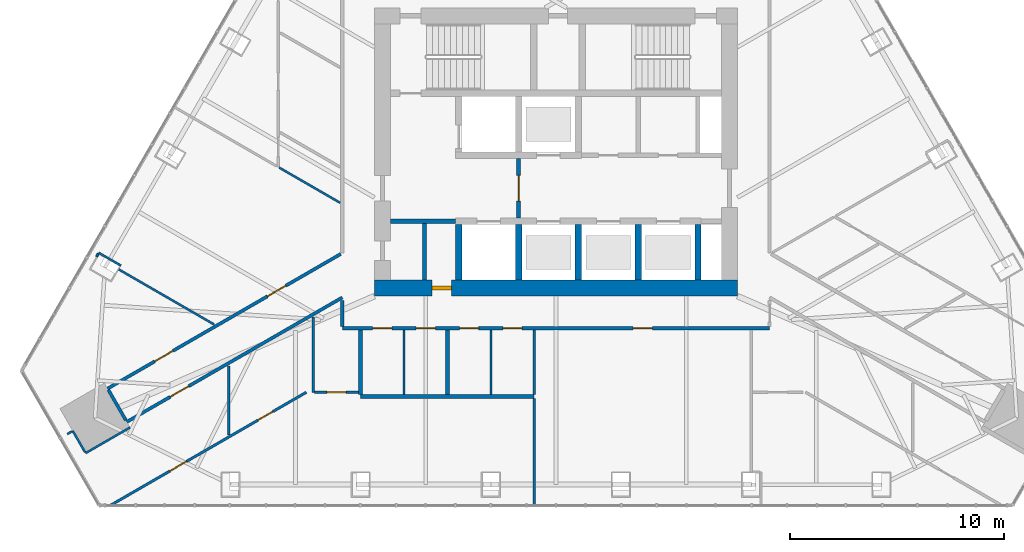
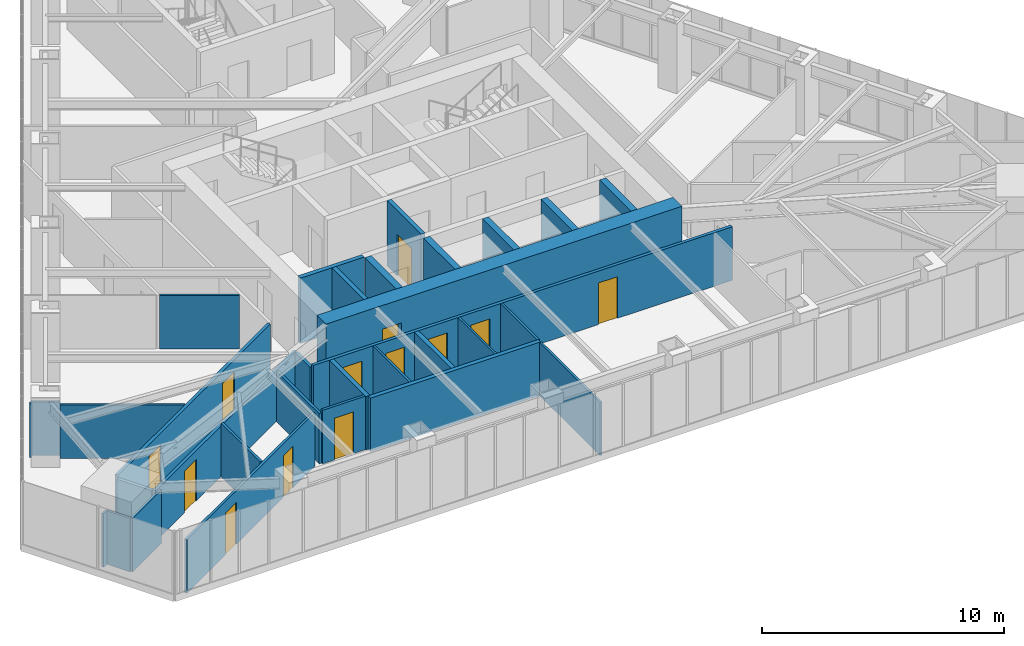
# One storey, part 15 of 20: 32 walls, 13 doors, 13 openings.
"""IFC4 building model written with IfcOpenShell, lengths in metres."""

from ifc_helpers import new_model, si_unit, direction, frame, frame_2d, origin, place, context, subcontext, project, spatial, rectangle, extrude, material, layer, layer_set, type_object, element, fill, save


model = new_model("IFC4")

# Units and contexts
model_context = context("Model", 3, precision=1e-05, world=origin(), true_north=direction((0.0, 1.0)))
body_context = subcontext(model_context, "Body", "Model", "MODEL_VIEW")
ifc_project = project(units=[si_unit("LENGTHUNIT", "METRE"), si_unit("AREAUNIT", "SQUARE_METRE"), si_unit("VOLUMEUNIT", "CUBIC_METRE"), si_unit("PLANEANGLEUNIT", "RADIAN"), si_unit("MASSUNIT", "GRAM", prefix="KILO")], contexts=[model_context])

# Site, building, storey
site_placement = place(None, origin())
site = spatial("IfcSite", under=ifc_project, at=site_placement, CompositionType="ELEMENT")
building_placement = place(site_placement, origin())
building = spatial("IfcBuilding", under=site, at=building_placement, Name="Firuza Gate Tower and Library", CompositionType="ELEMENT")
storey_placement = place(building_placement, frame((0.0, 0.0, 305.60009765625)))
storey = spatial("IfcBuildingStorey", under=building, at=storey_placement, Name="L74", CompositionType="ELEMENT", Elevation=305.60009765625)

# Walls
ifc_material_1 = material(Name="Plasterboard on steel studs", Category="steel")
ifc_layer_1 = layer(ifc_material_1, 0.199951171875)
ifc_layer_set_1 = layer_set([ifc_layer_1], Name="Core partition 200 EI 120")
wall_type_1 = type_object("IfcWallType", Name="Core partition 200 EI 120", PredefinedType="PARTITIONING", material=ifc_layer_set_1)
wall_1_placement = place(storey_placement, frame((67.25, 71.75, 0.0), z_axis=(0.0, 0.0, 1.0), x_axis=(1.0, 0.0, 0.0)))
element("IfcWall", 1, at=wall_1_placement, inside=storey, type_object=wall_type_1, Name="Core partition L74 1", PredefinedType="PARTITIONING", context=body_context, shape_type="SweptSolid", body=[
    extrude(rectangle(XDim=3.050048828125, YDim=0.199951171875, at=frame_2d((1.52490234375, 0.0))), origin(), (0.0, 0.0, 1.0), 3.2998046875),
])
wall_2_placement = place(storey_placement, frame((68.85009765625, 69.0, 0.0), z_axis=(0.0, 0.0, 1.0), x_axis=(0.0, 1.0, 0.0)))
element("IfcWall", 2, at=wall_2_placement, inside=storey, type_object=wall_type_1, Name="Core partition L74 4", PredefinedType="PARTITIONING", context=body_context, shape_type="SweptSolid", body=[
    extrude(rectangle(XDim=2.64990234375, YDim=0.199951171875, at=frame_2d((1.324951171875, 0.0))), origin(), (0.0, 0.0, 1.0), 3.2998046875),
])

# Wall, opening, door
ifc_material_2 = material(Name="Plasterboard on steel studs", Category="steel")
ifc_layer_2 = layer(ifc_material_2, 0.199951171875)
ifc_layer_set_2 = layer_set([ifc_layer_2], Name="Core partition 200 EI 60")
wall_type_2 = type_object("IfcWallType", Name="Core partition 200 EI 60", PredefinedType="PARTITIONING", material=ifc_layer_set_2)
wall_3_placement = place(storey_placement, frame((73.25, 71.89990234375, 0.0), z_axis=(0.0, 0.0, 1.0), x_axis=(0.0, 1.0, 0.0)))
wall_3 = element("IfcWall", 3, at=wall_3_placement, inside=storey, type_object=wall_type_2, Name="Core partition L74 5", PredefinedType="PARTITIONING", context=body_context, shape_type="SweptSolid", body=[
    extrude(rectangle(XDim=2.800048828125, YDim=0.199951171875, at=frame_2d((1.39990234375, 0.0))), origin(), (0.0, 0.0, 1.0), 3.2998046875),
])
opening_1_placement = place(wall_3_placement, frame((0.800048828125, 0.0, 0.0)))
opening_1 = element("IfcOpeningElement", 4, at=opening_1_placement, cuts=wall_3, Name="Opening L74-K14", PredefinedType="OPENING", context=body_context, shape_type="SweptSolid", body=[
    extrude(rectangle(XDim=1.199951171875, YDim=2.10009765625, at=frame_2d((0.60009765625, 1.050048828125))), frame((0.0, 0.10986328125, 0.0), z_axis=(0.0, -1.0, 0.0), x_axis=(1.0, 0.0, 0.0)), (0.0, 0.0, 1.0), 0.219970703125),
])
ifc_material_3 = material(Name="Steel", Category="steel")
door_type_1 = type_object("IfcDoorType", Name="Fire door 1200x2100 FD90S", OperationType="NOTDEFINED", PredefinedType="DOOR", material=ifc_material_3)
door_1_placement = place(opening_1_placement, origin())
door_1 = element("IfcDoor", 5, at=door_1_placement, inside=storey, type_object=door_type_1, Name="Door L74-K14", OperationType="SINGLE_SWING_LEFT", OverallHeight=2.10009765625, OverallWidth=1.199951171875, PredefinedType="DOOR", context=body_context, shape_type="SweptSolid", body=[
    extrude(rectangle(XDim=1.199951171875, YDim=2.10009765625, at=frame_2d((0.60009765625, 1.050048828125))), frame((0.0, 0.02490234375, 0.0), z_axis=(0.0, -1.0, 0.0), x_axis=(1.0, 0.0, 0.0)), (0.0, 0.0, 1.0), 0.050048828125),
])
fill(opening_1, door_1)

# Walls
ifc_material_4 = material(Name="Concrete C60/75", Category="concrete")
ifc_layer_3 = layer(ifc_material_4, 0.300048828125)
ifc_layer_set_3 = layer_set([ifc_layer_3], Name="Core wall 300 C60/75")
wall_type_3 = type_object("IfcWallType", Name="Core wall 300 C60/75", PredefinedType="SHEAR", material=ifc_layer_set_3)
for number, where, z_axis, x_axis, name in (
    (6, (70.449951171875, 69.0, 0.0), (0.0, 0.0, 1.0), (0.0, 1.0, 0.0), "Core wall L74 7"),
    (7, (73.25, 69.0, 0.0), (0.0, 0.0, 1.0), (0.0, 1.0, 0.0), "Core wall L74 9"),
    (8, (76.050048828125, 69.0, 0.0), (0.0, 0.0, 1.0), (0.0, 1.0, 0.0), "Core wall L74 11"),
    (9, (78.85009765625, 69.0, 0.0), (0.0, 0.0, 1.0), (0.0, 1.0, 0.0), "Core wall L74 13"),
    (10, (81.64990234375, 69.0, 0.0), (0.0, 0.0, 1.0), (0.0, 1.0, 0.0), "Core wall L74 14"),
):
    element("IfcWall", number, at=place(storey_placement, frame(where, z_axis=z_axis, x_axis=x_axis)), inside=storey, type_object=wall_type_3, Name=name, PredefinedType="SHEAR", context=body_context, shape_type="SweptSolid", body=[
        extrude(rectangle(XDim=2.60009765625, YDim=0.300048828125, at=frame_2d((1.300048828125, 0.0))), origin(), (0.0, 0.0, 1.0), 3.2998046875),
    ])

# Wall, opening, door
ifc_material_5 = material(Name="Concrete C60/75", Category="concrete")
ifc_layer_4 = layer(ifc_material_5, 0.75)
ifc_layer_set_4 = layer_set([ifc_layer_4], Name="Core wall 750 C60/75")
wall_type_4 = type_object("IfcWallType", Name="Core wall 750 C60/75", PredefinedType="SHEAR", material=ifc_layer_set_4)
wall_4_placement = place(storey_placement, frame((66.5, 68.625, 0.0), z_axis=(0.0, 0.0, 1.0), x_axis=(1.0, 0.0, 0.0)))
wall_4 = element("IfcWall", 11, at=wall_4_placement, inside=storey, type_object=wall_type_4, Name="Core wall L74 1", PredefinedType="SHEAR", context=body_context, shape_type="SweptSolid", body=[
    extrude(rectangle(XDim=17.0, YDim=0.75, at=frame_2d((8.5, 0.0))), origin(), (0.0, 0.0, 1.0), 3.2998046875),
])
opening_2_placement = place(wall_4_placement, frame((2.699951171875, 0.0, 0.0)))
opening_2 = element("IfcOpeningElement", 12, at=opening_2_placement, cuts=wall_4, Name="Opening L74-K18", PredefinedType="OPENING", context=body_context, shape_type="SweptSolid", body=[
    extrude(rectangle(XDim=0.89990234375, YDim=2.10009765625, at=frame_2d((0.449951171875, 1.050048828125))), frame((0.0, 0.385009765625, 0.0), z_axis=(0.0, -1.0, 0.0), x_axis=(1.0, 0.0, 0.0)), (0.0, 0.0, 1.0), 0.77001953125),
])
ifc_material_6 = material(Name="Steel", Category="steel")
door_type_2 = type_object("IfcDoorType", Name="Fire door 900x2100 FD30S", OperationType="NOTDEFINED", PredefinedType="DOOR", material=ifc_material_6)
door_2_placement = place(opening_2_placement, origin())
door_2 = element("IfcDoor", 13, at=door_2_placement, inside=storey, type_object=door_type_2, Name="Door L74-K18", OperationType="SINGLE_SWING_LEFT", OverallHeight=2.10009765625, OverallWidth=0.89990234375, PredefinedType="DOOR", context=body_context, shape_type="SweptSolid", body=[
    extrude(rectangle(XDim=0.89990234375, YDim=2.10009765625, at=frame_2d((0.449951171875, 1.050048828125))), frame((0.0, 0.094970703125, 0.0), z_axis=(0.0, -1.0, 0.0), x_axis=(1.0, 0.0, 0.0)), (0.0, 0.0, 1.0), 0.18994140625),
])
fill(opening_2, door_2)

# Wall, openings, doors
ifc_material_7 = material(Name="Gypsum board partition")
ifc_layer_5 = layer(ifc_material_7, 0.14990234375)
ifc_layer_set_5 = layer_set([ifc_layer_5], Name="Corridor wall 150 double board on steel studs")
wall_type_5 = type_object("IfcWallType", Name="Corridor wall 150 double board on steel studs", PredefinedType="PARTITIONING", material=ifc_layer_set_5)
wall_5_placement = place(storey_placement, frame((85.0, 66.75, 0.0), z_axis=(0.0, 0.0, 1.0), x_axis=(-1.0, 0.0, 0.0)))
wall_5 = element("IfcWall", 14, at=wall_5_placement, inside=storey, type_object=wall_type_5, Name="f:L74:w004", PredefinedType="PARTITIONING", context=body_context, shape_type="SweptSolid", body=[
    extrude(rectangle(XDim=20.0, YDim=0.14990234375, at=frame_2d((10.0, 0.0))), origin(), (0.0, 0.0, 1.0), 2.699951171875),
])
opening_3_placement = place(wall_5_placement, frame((5.486083984375, 0.0, 0.0)))
opening_3 = element("IfcOpeningElement", 15, at=opening_3_placement, cuts=wall_5, Name="Opening L74-03", PredefinedType="OPENING", context=body_context, shape_type="SweptSolid", body=[
    extrude(rectangle(XDim=0.89990234375, YDim=2.10009765625, at=frame_2d((0.449951171875, 1.050048828125))), frame((0.0, 0.0849609375, 0.0), z_axis=(0.0, -1.0, 0.0), x_axis=(1.0, 0.0, 0.0)), (0.0, 0.0, 1.0), 0.169921875),
])
opening_4_placement = place(wall_5_placement, frame((11.58203125, 0.0, 0.0)))
opening_4 = element("IfcOpeningElement", 16, at=opening_4_placement, cuts=wall_5, Name="Opening L74-04", PredefinedType="OPENING", context=body_context, shape_type="SweptSolid", body=[
    extrude(rectangle(XDim=0.89990234375, YDim=2.10009765625, at=frame_2d((0.449951171875, 1.050048828125))), frame((0.0, 0.0849609375, 0.0), z_axis=(0.0, -1.0, 0.0), x_axis=(1.0, 0.0, 0.0)), (0.0, 0.0, 1.0), 0.169921875),
])
opening_5_placement = place(wall_5_placement, frame((13.614013671875, 0.0, 0.0)))
opening_5 = element("IfcOpeningElement", 17, at=opening_5_placement, cuts=wall_5, Name="Opening L74-05", PredefinedType="OPENING", context=body_context, shape_type="SweptSolid", body=[
    extrude(rectangle(XDim=0.89990234375, YDim=2.10009765625, at=frame_2d((0.449951171875, 1.050048828125))), frame((0.0, 0.0849609375, 0.0), z_axis=(0.0, -1.0, 0.0), x_axis=(1.0, 0.0, 0.0)), (0.0, 0.0, 1.0), 0.169921875),
])
opening_6_placement = place(wall_5_placement, frame((15.64599609375, 0.0, 0.0)))
opening_6 = element("IfcOpeningElement", 18, at=opening_6_placement, cuts=wall_5, Name="Opening L74-06", PredefinedType="OPENING", context=body_context, shape_type="SweptSolid", body=[
    extrude(rectangle(XDim=0.89990234375, YDim=2.10009765625, at=frame_2d((0.449951171875, 1.050048828125))), frame((0.0, 0.0849609375, 0.0), z_axis=(0.0, -1.0, 0.0), x_axis=(1.0, 0.0, 0.0)), (0.0, 0.0, 1.0), 0.169921875),
])
opening_7_placement = place(wall_5_placement, frame((17.677978515625, 0.0, 0.0)))
opening_7 = element("IfcOpeningElement", 19, at=opening_7_placement, cuts=wall_5, Name="Opening L74-07", PredefinedType="OPENING", context=body_context, shape_type="SweptSolid", body=[
    extrude(rectangle(XDim=0.89990234375, YDim=2.10009765625, at=frame_2d((0.449951171875, 1.050048828125))), frame((0.0, 0.0849609375, 0.0), z_axis=(0.0, -1.0, 0.0), x_axis=(1.0, 0.0, 0.0)), (0.0, 0.0, 1.0), 0.169921875),
])
ifc_material_8 = material(Name="Steel door and timber leaf", Category="steel")
door_type_3 = type_object("IfcDoorType", Name="Fire door 900 x 2100 steel frame, timber leaf", OperationType="NOTDEFINED", PredefinedType="DOOR", material=ifc_material_8)
door_3_placement = place(opening_3_placement, origin())
door_3 = element("IfcDoor", 20, at=door_3_placement, inside=storey, type_object=door_type_3, Name="f:L74:d003", OperationType="SINGLE_SWING_RIGHT", OverallHeight=2.10009765625, OverallWidth=0.89990234375, PredefinedType="DOOR", context=body_context, shape_type="SweptSolid", body=[
    extrude(rectangle(XDim=0.89990234375, YDim=2.10009765625, at=frame_2d((0.449951171875, 1.050048828125))), frame((0.0, 0.02490234375, 0.0), z_axis=(0.0, -1.0, 0.0), x_axis=(1.0, 0.0, 0.0)), (0.0, 0.0, 1.0), 0.050048828125),
])
fill(opening_3, door_3)
door_4_placement = place(opening_4_placement, origin())
door_4 = element("IfcDoor", 21, at=door_4_placement, inside=storey, type_object=door_type_3, Name="f:L74:d004", OperationType="SINGLE_SWING_LEFT", OverallHeight=2.10009765625, OverallWidth=0.89990234375, PredefinedType="DOOR", context=body_context, shape_type="SweptSolid", body=[
    extrude(rectangle(XDim=0.89990234375, YDim=2.10009765625, at=frame_2d((0.449951171875, 1.050048828125))), frame((0.0, 0.02490234375, 0.0), z_axis=(0.0, -1.0, 0.0), x_axis=(1.0, 0.0, 0.0)), (0.0, 0.0, 1.0), 0.050048828125),
])
fill(opening_4, door_4)
door_5_placement = place(opening_5_placement, origin())
door_5 = element("IfcDoor", 22, at=door_5_placement, inside=storey, type_object=door_type_3, Name="f:L74:d005", OperationType="SINGLE_SWING_RIGHT", OverallHeight=2.10009765625, OverallWidth=0.89990234375, PredefinedType="DOOR", context=body_context, shape_type="SweptSolid", body=[
    extrude(rectangle(XDim=0.89990234375, YDim=2.10009765625, at=frame_2d((0.449951171875, 1.050048828125))), frame((0.0, 0.02490234375, 0.0), z_axis=(0.0, -1.0, 0.0), x_axis=(1.0, 0.0, 0.0)), (0.0, 0.0, 1.0), 0.050048828125),
])
fill(opening_5, door_5)
door_6_placement = place(opening_6_placement, origin())
door_6 = element("IfcDoor", 23, at=door_6_placement, inside=storey, type_object=door_type_3, Name="f:L74:d006", OperationType="SINGLE_SWING_LEFT", OverallHeight=2.10009765625, OverallWidth=0.89990234375, PredefinedType="DOOR", context=body_context, shape_type="SweptSolid", body=[
    extrude(rectangle(XDim=0.89990234375, YDim=2.10009765625, at=frame_2d((0.449951171875, 1.050048828125))), frame((0.0, 0.02490234375, 0.0), z_axis=(0.0, -1.0, 0.0), x_axis=(1.0, 0.0, 0.0)), (0.0, 0.0, 1.0), 0.050048828125),
])
fill(opening_6, door_6)
door_7_placement = place(opening_7_placement, origin())
door_7 = element("IfcDoor", 24, at=door_7_placement, inside=storey, type_object=door_type_3, Name="f:L74:d007", OperationType="SINGLE_SWING_RIGHT", OverallHeight=2.10009765625, OverallWidth=0.89990234375, PredefinedType="DOOR", context=body_context, shape_type="SweptSolid", body=[
    extrude(rectangle(XDim=0.89990234375, YDim=2.10009765625, at=frame_2d((0.449951171875, 1.050048828125))), frame((0.0, 0.02490234375, 0.0), z_axis=(0.0, -1.0, 0.0), x_axis=(1.0, 0.0, 0.0)), (0.0, 0.0, 1.0), 0.050048828125),
])
fill(opening_7, door_7)

# Wall, opening, door
wall_6_placement = place(storey_placement, frame((65.0, 68.187255859375, 0.0), z_axis=(0.0, 0.0, 1.0), x_axis=(-0.866026430432, -0.49999822179, 0.0)))
wall_6 = element("IfcWall", 25, at=wall_6_placement, inside=storey, type_object=wall_type_5, Name="f:L74:w020", PredefinedType="PARTITIONING", context=body_context, shape_type="SweptSolid", body=[
    extrude(rectangle(XDim=11.6484375, YDim=0.14990234375, at=frame_2d((5.82421875, 0.0))), origin(), (0.0, 0.0, 1.0), 2.546875),
])
opening_8_placement = place(wall_6_placement, frame((8.29638671875, 0.0, 0.0)))
opening_8 = element("IfcOpeningElement", 26, at=opening_8_placement, cuts=wall_6, Name="Opening L74-14", PredefinedType="OPENING", context=body_context, shape_type="SweptSolid", body=[
    extrude(rectangle(XDim=1.0, YDim=2.10009765625, at=frame_2d((0.5, 1.050048828125))), frame((0.0, 0.0849609375, 0.0), z_axis=(0.0, -1.0, 0.0), x_axis=(1.0, 0.0, 0.0)), (0.0, 0.0, 1.0), 0.169921875),
])
ifc_material_9 = material(Name="Steel door and timber leaf", Category="steel")
door_type_4 = type_object("IfcDoorType", Name="Fire door 1000 x 2100 steel frame, timber leaf", OperationType="NOTDEFINED", PredefinedType="DOOR", material=ifc_material_9)
door_8_placement = place(opening_8_placement, origin())
door_8 = element("IfcDoor", 27, at=door_8_placement, inside=storey, type_object=door_type_4, Name="f:L74:d014", OperationType="SINGLE_SWING_RIGHT", OverallHeight=2.10009765625, OverallWidth=1.0, PredefinedType="DOOR", context=body_context, shape_type="SweptSolid", body=[
    extrude(rectangle(XDim=1.0, YDim=2.10009765625, at=frame_2d((0.5, 1.050048828125))), frame((0.0, 0.02490234375, 0.0), z_axis=(0.0, -1.0, 0.0), x_axis=(1.0, 0.0, 0.0)), (0.0, 0.0, 1.0), 0.050048828125),
])
fill(opening_8, door_8)

# Wall, openings, doors
wall_7_placement = place(storey_placement, frame((54.012451171875, 63.922119140625, 0.0), z_axis=(0.0, 0.0, 1.0), x_axis=(0.866028779199, 0.499994153564, 0.0)))
wall_7 = element("IfcWall", 28, at=wall_7_placement, inside=storey, type_object=wall_type_5, Name="f:L74:w022", PredefinedType="PARTITIONING", context=body_context, shape_type="SweptSolid", body=[
    extrude(rectangle(XDim=12.600830078125, YDim=0.14990234375, at=frame_2d((6.30029296875, 0.0))), origin(), (0.0, 0.0, 1.0), 2.699951171875),
])
opening_9_placement = place(wall_7_placement, frame((2.542236328125, 0.0, 0.0)))
opening_9 = element("IfcOpeningElement", 29, at=opening_9_placement, cuts=wall_7, Name="Opening L74-15", PredefinedType="OPENING", context=body_context, shape_type="SweptSolid", body=[
    extrude(rectangle(XDim=1.0, YDim=2.10009765625, at=frame_2d((0.5, 1.050048828125))), frame((0.0, 0.0849609375, 0.0), z_axis=(0.0, -1.0, 0.0), x_axis=(1.0, 0.0, 0.0)), (0.0, 0.0, 1.0), 0.169921875),
])
opening_10_placement = place(wall_7_placement, frame((8.63916015625, 0.0, 0.0)))
opening_10 = element("IfcOpeningElement", 30, at=opening_10_placement, cuts=wall_7, Name="Opening L74-16", PredefinedType="OPENING", context=body_context, shape_type="SweptSolid", body=[
    extrude(rectangle(XDim=1.0, YDim=2.10009765625, at=frame_2d((0.5, 1.050048828125))), frame((0.0, 0.0849609375, 0.0), z_axis=(0.0, -1.0, 0.0), x_axis=(1.0, 0.0, 0.0)), (0.0, 0.0, 1.0), 0.169921875),
])
door_9_placement = place(opening_9_placement, origin())
door_9 = element("IfcDoor", 31, at=door_9_placement, inside=storey, type_object=door_type_4, Name="f:L74:d015", OperationType="SINGLE_SWING_LEFT", OverallHeight=2.10009765625, OverallWidth=1.0, PredefinedType="DOOR", context=body_context, shape_type="SweptSolid", body=[
    extrude(rectangle(XDim=1.0, YDim=2.10009765625, at=frame_2d((0.5, 1.050048828125))), frame((0.0, 0.02490234375, 0.0), z_axis=(0.0, -1.0, 0.0), x_axis=(1.0, 0.0, 0.0)), (0.0, 0.0, 1.0), 0.050048828125),
])
fill(opening_9, door_9)
door_10_placement = place(opening_10_placement, origin())
door_10 = element("IfcDoor", 32, at=door_10_placement, inside=storey, type_object=door_type_4, Name="f:L74:d016", OperationType="SINGLE_SWING_RIGHT", OverallHeight=2.10009765625, OverallWidth=1.0, PredefinedType="DOOR", context=body_context, shape_type="SweptSolid", body=[
    extrude(rectangle(XDim=1.0, YDim=2.10009765625, at=frame_2d((0.5, 1.050048828125))), frame((0.0, 0.02490234375, 0.0), z_axis=(0.0, -1.0, 0.0), x_axis=(1.0, 0.0, 0.0)), (0.0, 0.0, 1.0), 0.050048828125),
])
fill(opening_10, door_10)

# Walls
wall_8_placement = place(storey_placement, frame((65.0, 66.824951171875, 0.0), z_axis=(0.0, 0.0, 1.0), x_axis=(0.0, 1.0, 0.0)))
element("IfcWall", 33, at=wall_8_placement, inside=storey, type_object=wall_type_5, Name="f:L74:w046", PredefinedType="PARTITIONING", context=body_context, shape_type="SweptSolid", body=[
    extrude(rectangle(XDim=1.225830078125, YDim=0.14990234375, at=frame_2d((0.61279296875, 0.0))), origin(), (0.0, 0.0, 1.0), 2.546875),
])
wall_9_placement = place(storey_placement, frame((54.8720703125, 62.432861328125, 0.0), z_axis=(0.0, 0.0, 1.0), x_axis=(-0.499988108725, 0.866032269107, 0.0)))
element("IfcWall", 34, at=wall_9_placement, inside=storey, type_object=wall_type_5, Name="f:L74:w053", PredefinedType="PARTITIONING", context=body_context, shape_type="SweptSolid", body=[
    extrude(rectangle(XDim=1.64404296875, YDim=0.14990234375, at=frame_2d((0.822021484375, 0.0))), origin(), (0.0, 0.0, 1.0), 2.546875),
])
ifc_material_10 = material(Name="Gypsum board partition")
ifc_layer_6 = layer(ifc_material_10, 0.199951171875)
ifc_layer_set_6 = layer_set([ifc_layer_6], Name="Demising wall 200 acoustic double stud")
wall_type_6 = type_object("IfcWallType", Name="Demising wall 200 acoustic double stud", PredefinedType="PARTITIONING", material=ifc_layer_set_6)
wall_10_placement = place(storey_placement, frame((65.85595703125, 63.550048828125, 0.0), z_axis=(0.0, 0.0, 1.0), x_axis=(1.0, 0.0, 0.0)))
element("IfcWall", 35, at=wall_10_placement, inside=storey, type_object=wall_type_6, Name="f:L74:w001", PredefinedType="PARTITIONING", context=body_context, shape_type="SweptSolid", body=[
    extrude(rectangle(XDim=8.1279296875, YDim=0.199951171875, at=frame_2d((4.06396484375, 0.0))), origin(), (0.0, 0.0, 1.0), 2.699951171875),
])
for number, where, z_axis, x_axis, name in (
    (36, (69.919921875, 63.64990234375, 0.0), (0.0, 0.0, 1.0), (0.0, 1.0, 0.0), "f:L74:w043"),
    (37, (65.85595703125, 63.64990234375, 0.0), (0.0, 0.0, 1.0), (0.0, 1.0, 0.0), "f:L74:w045"),
):
    element("IfcWall", number, at=place(storey_placement, frame(where, z_axis=z_axis, x_axis=x_axis)), inside=storey, type_object=wall_type_6, Name=name, PredefinedType="PARTITIONING", context=body_context, shape_type="SweptSolid", body=[
        extrude(rectangle(XDim=3.025146484375, YDim=0.199951171875, at=frame_2d((1.5126953125, 0.0))), origin(), (0.0, 0.0, 1.0), 2.699951171875),
    ])
ifc_material_11 = material(Name="Gypsum board partition")
ifc_layer_7 = layer(ifc_material_11, 0.10009765625)
ifc_layer_set_7 = layer_set([ifc_layer_7], Name="Partition 100 gypsum board on steel studs")
wall_type_7 = type_object("IfcWallType", Name="Partition 100 gypsum board on steel studs", PredefinedType="PARTITIONING", material=ifc_layer_set_7)
wall_11_placement = place(storey_placement, frame((52.984130859375, 60.903564453125, 0.0), z_axis=(0.0, 0.0, 1.0), x_axis=(0.866011011868, 0.500024926702, 0.0)))
element("IfcWall", 38, at=wall_11_placement, inside=storey, type_object=wall_type_7, Name="f:L74:w019", PredefinedType="PARTITIONING", context=body_context, shape_type="SweptSolid", body=[
    extrude(rectangle(XDim=2.39892578125, YDim=0.10009765625, at=frame_2d((1.199462890625, 0.0))), origin(), (0.0, 0.0, 1.0), 2.699951171875),
])
wall_12_placement = place(storey_placement, frame((52.123779296875, 61.79248046875, 0.0), z_axis=(0.0, 0.0, 1.0), x_axis=(0.866006330792, 0.500033033937, 0.0)))
element("IfcWall", 39, at=wall_12_placement, inside=storey, type_object=wall_type_7, Name="f:L74:w021", PredefinedType="PARTITIONING", context=body_context, shape_type="SweptSolid", body=[
    extrude(rectangle(XDim=0.24951171875, YDim=0.10009765625, at=frame_2d((0.124755859375, 0.0))), origin(), (0.0, 0.0, 1.0), 2.699951171875),
])
wall_13_placement = place(storey_placement, frame((53.4951171875, 70.102294921875, 0.0), z_axis=(0.0, 0.0, 1.0), x_axis=(0.499906209203, 0.866079547155, 0.0)))
element("IfcWall", 40, at=wall_13_placement, inside=storey, type_object=wall_type_7, Name="f:L74:w026", PredefinedType="PARTITIONING", context=body_context, shape_type="SweptSolid", body=[
    extrude(rectangle(XDim=0.1533203125, YDim=0.10009765625, at=frame_2d((0.07666015625, 0.0))), origin(), (0.0, 0.0, 1.0), 2.699951171875),
])
wall_14_placement = place(storey_placement, frame((73.98388671875, 58.46484375, 0.0), z_axis=(0.0, 0.0, 1.0), x_axis=(0.0, 1.0, 0.0)))
element("IfcWall", 41, at=wall_14_placement, inside=storey, type_object=wall_type_7, Name="f:L74:w038", PredefinedType="PARTITIONING", context=body_context, shape_type="SweptSolid", body=[
    extrude(rectangle(XDim=4.985107421875, YDim=0.10009765625, at=frame_2d((2.49267578125, 0.0))), origin(), (0.0, 0.0, 1.0), 2.68798828125),
])
for number, where, z_axis, x_axis, name in (
    (42, (71.951904296875, 63.64990234375, 0.0), (0.0, 0.0, 1.0), (0.0, 1.0, 0.0), "f:L74:w040"),
    (43, (67.887939453125, 63.64990234375, 0.0), (0.0, 0.0, 1.0), (0.0, 1.0, 0.0), "f:L74:w044"),
):
    element("IfcWall", number, at=place(storey_placement, frame(where, z_axis=z_axis, x_axis=x_axis)), inside=storey, type_object=wall_type_7, Name=name, PredefinedType="PARTITIONING", context=body_context, shape_type="SweptSolid", body=[
        extrude(rectangle(XDim=3.025146484375, YDim=0.10009765625, at=frame_2d((1.5126953125, 0.0))), origin(), (0.0, 0.0, 1.0), 2.699951171875),
    ])
wall_15_placement = place(storey_placement, frame((52.95849609375, 60.947021484375, 0.0), z_axis=(0.0, 0.0, 1.0), x_axis=(-0.499955427682, 0.866051136095, 0.0)))
element("IfcWall", 44, at=wall_15_placement, inside=storey, type_object=wall_type_7, Name="f:L74:w054", PredefinedType="PARTITIONING", context=body_context, shape_type="SweptSolid", body=[
    extrude(rectangle(XDim=1.14892578125, YDim=0.10009765625, at=frame_2d((0.574462890625, 0.0))), origin(), (0.0, 0.0, 1.0), 2.699951171875),
])
wall_16_placement = place(storey_placement, frame((64.899169921875, 72.61962890625, 0.0), z_axis=(0.0, 0.0, 1.0), x_axis=(-0.866032610133, 0.499987518031, 0.0)))
element("IfcWall", 45, at=wall_16_placement, inside=storey, type_object=wall_type_7, Name="f:L74:w064", PredefinedType="PARTITIONING", context=body_context, shape_type="SweptSolid", body=[
    extrude(rectangle(XDim=3.29541015625, YDim=0.10009765625, at=frame_2d((1.647705078125, 0.0))), origin(), (0.0, 0.0, 1.0), 2.699951171875),
])
wall_17_placement = place(storey_placement, frame((54.6357421875, 69.679443359375, 0.0), z_axis=(0.0, 0.0, 1.0), x_axis=(-0.865978732077, 0.500080829057, 0.0)))
element("IfcWall", 46, at=wall_17_placement, inside=storey, type_object=wall_type_7, Name="f:L74:w065", PredefinedType="PARTITIONING", context=body_context, shape_type="SweptSolid", body=[
    extrude(rectangle(XDim=1.198974609375, YDim=0.10009765625, at=frame_2d((0.599609375, 0.0))), origin(), (0.0, 0.0, 1.0), 2.699951171875),
])
wall_18_placement = place(storey_placement, frame((59.0048828125, 66.921142578125, 0.0), z_axis=(0.0, 0.0, 1.0), x_axis=(-0.866022552607, 0.500004938352, 0.0)))
element("IfcWall", 47, at=wall_18_placement, inside=storey, type_object=wall_type_7, Name="f:L74:w066", PredefinedType="PARTITIONING", context=body_context, shape_type="SweptSolid", body=[
    extrude(rectangle(XDim=5.162109375, YDim=0.10009765625, at=frame_2d((2.5810546875, 0.0))), origin(), (0.0, 0.0, 1.0), 2.699951171875),
])
wall_19_placement = place(storey_placement, frame((73.98388671875, 63.64990234375, 0.0), z_axis=(0.0, 0.0, 1.0), x_axis=(0.0, 1.0, 0.0)))
element("IfcWall", 48, at=wall_19_placement, inside=storey, type_object=wall_type_7, Name="f:L74:w067", PredefinedType="PARTITIONING", context=body_context, shape_type="SweptSolid", body=[
    extrude(rectangle(XDim=3.025146484375, YDim=0.10009765625, at=frame_2d((1.5126953125, 0.0))), origin(), (0.0, 0.0, 1.0), 2.699951171875),
])

# Wall, opening, door
ifc_material_12 = material(Name="Gypsum board partition")
ifc_layer_8 = layer(ifc_material_12, 0.1201171875)
ifc_layer_set_8 = layer_set([ifc_layer_8], Name="Wet-area partition 120 moisture-resistant board")
wall_type_8 = type_object("IfcWallType", Name="Wet-area partition 120 moisture-resistant board", PredefinedType="PARTITIONING", material=ifc_layer_set_8)
wall_20_placement = place(storey_placement, frame((63.704345703125, 63.75, 0.0), z_axis=(0.0, 0.0, 1.0), x_axis=(1.0, 0.0, 0.0)))
wall_20 = element("IfcWall", 49, at=wall_20_placement, inside=storey, type_object=wall_type_8, Name="f:L74:w002", PredefinedType="PARTITIONING", context=body_context, shape_type="SweptSolid", body=[
    extrude(rectangle(XDim=2.0517578125, YDim=0.1201171875, at=frame_2d((1.02587890625, 0.0))), origin(), (0.0, 0.0, 1.0), 2.699951171875),
])
opening_11_placement = place(wall_20_placement, frame((0.57568359375, 0.0, 0.0)))
opening_11 = element("IfcOpeningElement", 50, at=opening_11_placement, cuts=wall_20, Name="Opening L74-01", PredefinedType="OPENING", context=body_context, shape_type="SweptSolid", body=[
    extrude(rectangle(XDim=0.89990234375, YDim=2.10009765625, at=frame_2d((0.449951171875, 1.050048828125))), frame((0.0, 0.070068359375, 0.0), z_axis=(0.0, -1.0, 0.0), x_axis=(1.0, 0.0, 0.0)), (0.0, 0.0, 1.0), 0.14013671875),
])
ifc_material_13 = material(Name="Timber door", Category="wood")
door_type_5 = type_object("IfcDoorType", Name="Door 900 x 2100 timber leaf", OperationType="NOTDEFINED", PredefinedType="DOOR", material=ifc_material_13)
door_11_placement = place(opening_11_placement, origin())
door_11 = element("IfcDoor", 51, at=door_11_placement, inside=storey, type_object=door_type_5, Name="f:L74:d001", OperationType="SINGLE_SWING_LEFT", OverallHeight=2.10009765625, OverallWidth=0.89990234375, PredefinedType="DOOR", context=body_context, shape_type="SweptSolid", body=[
    extrude(rectangle(XDim=0.89990234375, YDim=2.10009765625, at=frame_2d((0.449951171875, 1.050048828125))), frame((0.0, 0.02490234375, 0.0), z_axis=(0.0, -1.0, 0.0), x_axis=(1.0, 0.0, 0.0)), (0.0, 0.0, 1.0), 0.050048828125),
])
fill(opening_11, door_11)

# Wall, openings, doors
wall_21_placement = place(storey_placement, frame((54.159912109375, 58.46484375, 0.0), z_axis=(0.0, 0.0, 1.0), x_axis=(0.866034434898, 0.499984357326, 0.0)))
wall_21 = element("IfcWall", 52, at=wall_21_placement, inside=storey, type_object=wall_type_8, Name="f:L74:w018", PredefinedType="PARTITIONING", context=body_context, shape_type="SweptSolid", body=[
    extrude(rectangle(XDim=10.570556640625, YDim=0.1201171875, at=frame_2d((5.28515625, 0.0))), origin(), (0.0, 0.0, 1.0), 2.699951171875),
])
opening_12_placement = place(wall_21_placement, frame((3.19677734375, 0.0, 0.0)))
opening_12 = element("IfcOpeningElement", 53, at=opening_12_placement, cuts=wall_21, Name="Opening L74-12", PredefinedType="OPENING", context=body_context, shape_type="SweptSolid", body=[
    extrude(rectangle(XDim=0.89990234375, YDim=2.10009765625, at=frame_2d((0.449951171875, 1.050048828125))), frame((0.0, 0.070068359375, 0.0), z_axis=(0.0, -1.0, 0.0), x_axis=(1.0, 0.0, 0.0)), (0.0, 0.0, 1.0), 0.14013671875),
])
opening_13_placement = place(wall_21_placement, frame((7.970458984375, 0.0, 0.0)))
opening_13 = element("IfcOpeningElement", 54, at=opening_13_placement, cuts=wall_21, Name="Opening L74-13", PredefinedType="OPENING", context=body_context, shape_type="SweptSolid", body=[
    extrude(rectangle(XDim=0.800048828125, YDim=2.10009765625, at=frame_2d((0.39990234375, 1.050048828125))), frame((0.0, 0.070068359375, 0.0), z_axis=(0.0, -1.0, 0.0), x_axis=(1.0, 0.0, 0.0)), (0.0, 0.0, 1.0), 0.14013671875),
])
ifc_material_14 = material(Name="Timber door", Category="wood")
door_type_6 = type_object("IfcDoorType", Name="Door 800 x 2100 timber leaf", OperationType="NOTDEFINED", PredefinedType="DOOR", material=ifc_material_14)
door_12_placement = place(opening_13_placement, origin())
door_12 = element("IfcDoor", 55, at=door_12_placement, inside=storey, type_object=door_type_6, Name="f:L74:d013", OperationType="SINGLE_SWING_RIGHT", OverallHeight=2.10009765625, OverallWidth=0.800048828125, PredefinedType="DOOR", context=body_context, shape_type="SweptSolid", body=[
    extrude(rectangle(XDim=0.800048828125, YDim=2.10009765625, at=frame_2d((0.39990234375, 1.050048828125))), frame((0.0, 0.02490234375, 0.0), z_axis=(0.0, -1.0, 0.0), x_axis=(1.0, 0.0, 0.0)), (0.0, 0.0, 1.0), 0.050048828125),
])
fill(opening_13, door_12)
door_13_placement = place(opening_12_placement, origin())
door_13 = element("IfcDoor", 56, at=door_13_placement, inside=storey, type_object=door_type_5, Name="f:L74:d012", OperationType="SINGLE_SWING_RIGHT", OverallHeight=2.10009765625, OverallWidth=0.89990234375, PredefinedType="DOOR", context=body_context, shape_type="SweptSolid", body=[
    extrude(rectangle(XDim=0.89990234375, YDim=2.10009765625, at=frame_2d((0.449951171875, 1.050048828125))), frame((0.0, 0.02490234375, 0.0), z_axis=(0.0, -1.0, 0.0), x_axis=(1.0, 0.0, 0.0)), (0.0, 0.0, 1.0), 0.050048828125),
])
fill(opening_12, door_13)

# Walls
wall_22_placement = place(storey_placement, frame((63.639892578125, 63.75, 0.0), z_axis=(0.0, 0.0, 1.0), x_axis=(0.0, 1.0, 0.0)))
element("IfcWall", 57, at=wall_22_placement, inside=storey, type_object=wall_type_8, Name="f:L74:w048", PredefinedType="PARTITIONING", context=body_context, shape_type="SweptSolid", body=[
    extrude(rectangle(XDim=3.525390625, YDim=0.1201171875, at=frame_2d((1.7626953125, 0.0))), origin(), (0.0, 0.0, 1.0), 2.546875),
])
wall_23_placement = place(storey_placement, frame((59.677001953125, 61.759033203125, 0.0), z_axis=(0.0, 0.0, 1.0), x_axis=(0.0, 1.0, 0.0)))
element("IfcWall", 58, at=wall_23_placement, inside=storey, type_object=wall_type_8, Name="f:L74:w050", PredefinedType="PARTITIONING", context=body_context, shape_type="SweptSolid", body=[
    extrude(rectangle(XDim=3.22802734375, YDim=0.1201171875, at=frame_2d((1.614013671875, 0.0))), origin(), (0.0, 0.0, 1.0), 2.699951171875),
])

save(model, "model.ifc")
